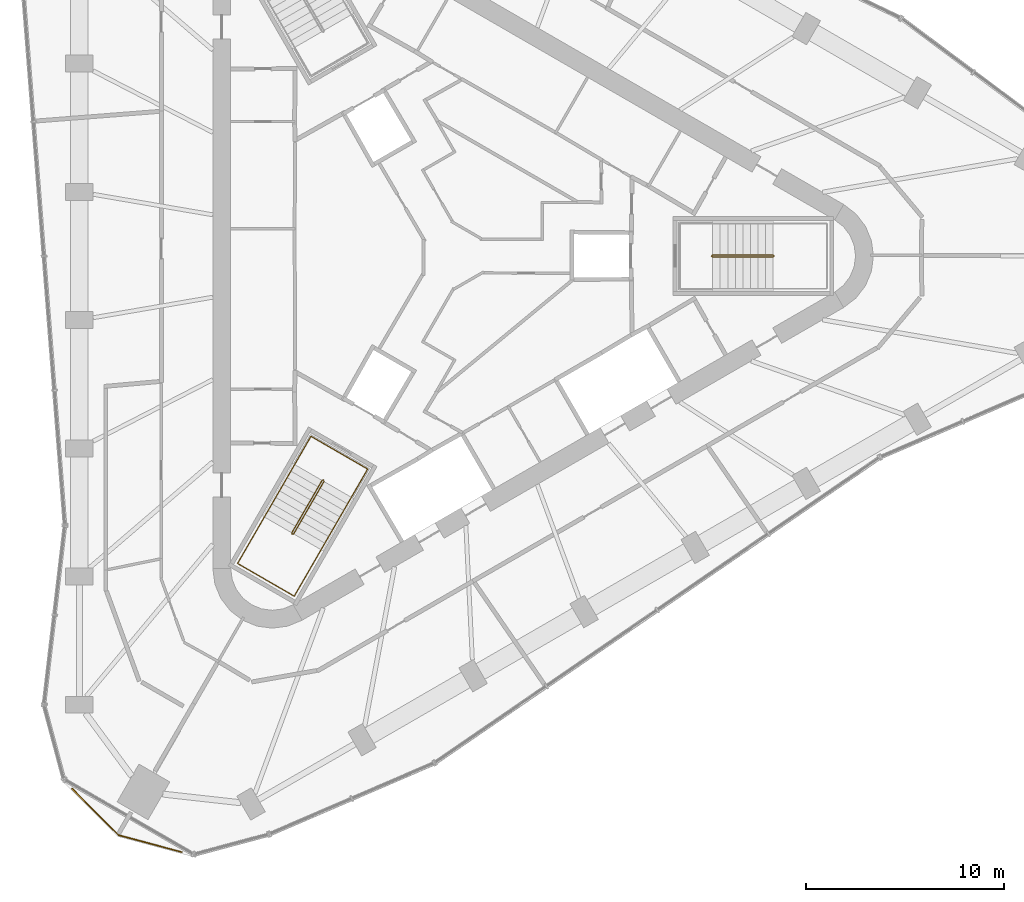
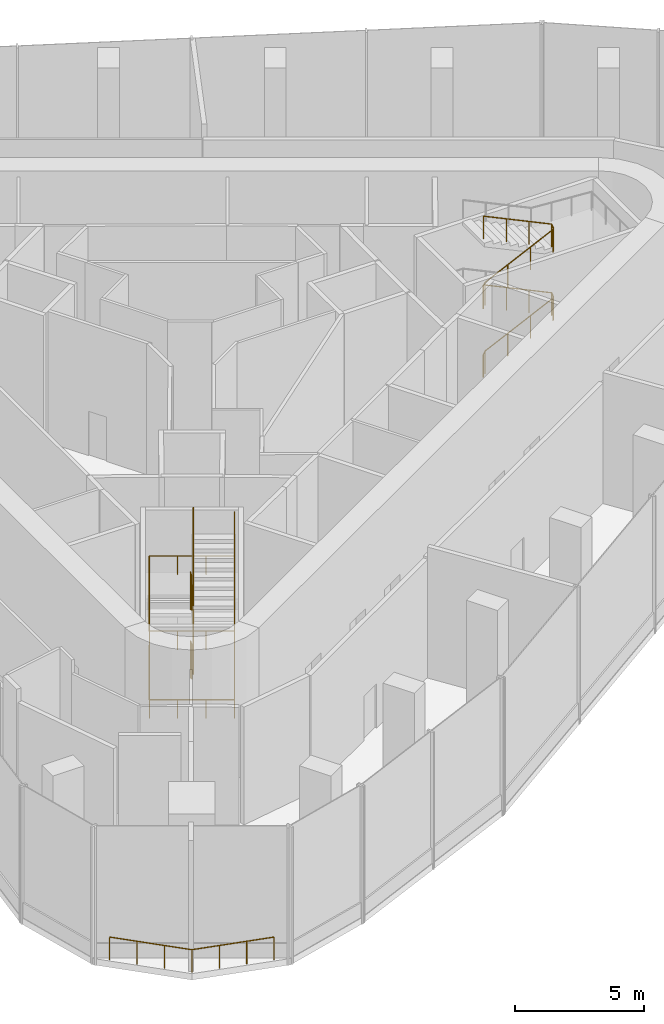
# One storey, part 12 of 13: 4 railings.
"""IFC4 building model written with IfcOpenShell, lengths in metres."""

from ifc_helpers import new_model, si_unit, direction, frame, origin, origin_2d, place, context, subcontext, project, spatial, circle, extrude, material, type_object, element, save


model = new_model("IFC4")

# Units and contexts
model_context = context("Model", 3, precision=1e-05, world=origin(), true_north=direction((0.0, 1.0)))
body_context = subcontext(model_context, "Body", "Model", "MODEL_VIEW")
ifc_project = project(units=[si_unit("LENGTHUNIT", "METRE"), si_unit("AREAUNIT", "SQUARE_METRE"), si_unit("VOLUMEUNIT", "CUBIC_METRE"), si_unit("PLANEANGLEUNIT", "RADIAN"), si_unit("MASSUNIT", "GRAM", prefix="KILO")], contexts=[model_context])

# Site, building, storey
site_placement = place(None, origin())
site = spatial("IfcSite", under=ifc_project, at=site_placement, CompositionType="ELEMENT")
building_placement = place(site_placement, origin())
building = spatial("IfcBuilding", under=site, at=building_placement, Name="Tanit Gate Tower", CompositionType="ELEMENT")
storey_placement = place(building_placement, frame((0.0, 0.0, 398.300048828125)))
storey = spatial("IfcBuildingStorey", under=building, at=storey_placement, Name="L91", CompositionType="ELEMENT", Elevation=398.300048828125)

# Railings
ifc_material_1 = material(Name="Stainless steel", Category="steel")
railing_type_1 = type_object("IfcRailingType", Name="Guard 1100 stainless steel balustrade", PredefinedType="GUARDRAIL", material=ifc_material_1)
railing_1_placement = place(storey_placement, frame((-13.66552734375, -30.05126953125, 0.0)))
element("IfcRailing", 1, at=railing_1_placement, inside=storey, type_object=railing_type_1, Name="Corner ledge guard L91 1", PredefinedType="GUARDRAIL", context=body_context, shape_type="SweptSolid", body=[
    extrude(circle(Radius=0.02392578125, at=origin_2d()), frame((0.0, 0.0, 1.076171875), z_axis=(-0.965927598952, 0.258812429344, 0.0), x_axis=(-0.258812429344, -0.965927598952, 0.0)), (0.0, 0.0, 1.0), 3.303466796875),
    extrude(circle(Radius=0.02392578125, at=origin_2d()), frame((-3.19091796875, 0.85498046875, 1.076171875), z_axis=(-0.707106781187, 0.707106781187, 0.0), x_axis=(-0.707106781187, -0.707106781187, 0.0)), (0.0, 0.0, 1.0), 3.303466796875),
    extrude(circle(Radius=0.02099609375, at=origin_2d()), origin(), (0.0, 0.0, 1.0), 1.052001953125),
    extrude(circle(Radius=0.02099609375, at=origin_2d()), frame((-1.063720703125, 0.284912109375, 0.0)), (0.0, 0.0, 1.0), 1.052001953125),
    extrude(circle(Radius=0.02099609375, at=origin_2d()), frame((-2.127197265625, 0.570068359375, 0.0)), (0.0, 0.0, 1.0), 1.052001953125),
    extrude(circle(Radius=0.02099609375, at=origin_2d()), frame((-3.19091796875, 0.85498046875, 0.0)), (0.0, 0.0, 1.0), 1.052001953125),
    extrude(circle(Radius=0.02099609375, at=origin_2d()), frame((-3.969482421875, 1.633544921875, 0.0)), (0.0, 0.0, 1.0), 1.052001953125),
    extrude(circle(Radius=0.02099609375, at=origin_2d()), frame((-4.748291015625, 2.412353515625, 0.0)), (0.0, 0.0, 1.0), 1.052001953125),
    extrude(circle(Radius=0.02099609375, at=origin_2d()), frame((-5.52685546875, 3.19091796875, 0.0)), (0.0, 0.0, 1.0), 1.052001953125),
])
ifc_material_2 = material(Name="Stainless steel balustrade", Category="steel")
railing_type_2 = type_object("IfcRailingType", Name="INT-STAIR-GUARD", PredefinedType="GUARDRAIL", material=ifc_material_2)
railing_2_placement = place(storey_placement, frame((13.044921875, 0.0048828125, 0.0)))
element("IfcRailing", 2, at=railing_2_placement, inside=storey, type_object=railing_type_2, Name="L91 S1 stair guard 1", PredefinedType="GUARDRAIL", context=body_context, shape_type="SweptSolid", body=[
    extrude(circle(Radius=0.02392578125, at=origin_2d()), frame((0.0, 0.0, 1.076171875), z_axis=(0.0, -1.0, 0.0), x_axis=(1.0, 0.0, 0.0)), (0.0, 0.0, 1.0), 0.009765625),
    extrude(circle(Radius=0.02392578125, at=origin_2d()), frame((0.0, -0.009765625, 1.076171875), z_axis=(0.258240678652, -0.258240678652, 0.930926153773), x_axis=(0.707106781187, 0.707106781187, 0.0)), (0.0, 0.0, 1.0), 0.19384765625),
    extrude(circle(Radius=0.02392578125, at=origin_2d()), frame((0.050048828125, -0.059814453125, 1.25634765625), z_axis=(0.9038114568, 0.0, 0.427930894605), x_axis=(0.0, 1.0, 0.0)), (0.0, 0.0, 1.0), 3.375732421875),
    extrude(circle(Radius=0.02392578125, at=origin_2d()), frame((3.10107421875, -0.059814453125, 2.701171875), z_axis=(0.707106781187, 0.707106781187, 0.0), x_axis=(-0.707106781187, 0.707106781187, 0.0)), (0.0, 0.0, 1.0), 0.07080078125),
    extrude(circle(Radius=0.02392578125, at=origin_2d()), frame((3.151123046875, -0.009765625, 2.701171875), z_axis=(0.0, 1.0, 0.0), x_axis=(-1.0, 0.0, 0.0)), (0.0, 0.0, 1.0), 0.009765625),
    extrude(circle(Radius=0.02392578125, at=origin_2d()), frame((3.151123046875, 0.0, 2.701171875), z_axis=(-0.258240678652, 0.258240678652, 0.930926153773), x_axis=(-0.707106781187, -0.707106781187, 0.0)), (0.0, 0.0, 1.0), 0.19384765625),
    extrude(circle(Radius=0.02392578125, at=origin_2d()), frame((3.10107421875, 0.050048828125, 2.88134765625), z_axis=(-0.9038114568, 0.0, 0.427930894605), x_axis=(0.0, -1.0, 0.0)), (0.0, 0.0, 1.0), 3.375732421875),
    extrude(circle(Radius=0.02392578125, at=origin_2d()), frame((0.050048828125, 0.050048828125, 4.326171875), z_axis=(-0.707106781187, -0.707106781187, 0.0), x_axis=(0.707106781187, -0.707106781187, 0.0)), (0.0, 0.0, 1.0), 0.07080078125),
    extrude(circle(Radius=0.02392578125, at=origin_2d()), frame((0.0, 0.0, 4.326171875), z_axis=(0.0, -1.0, 0.0), x_axis=(1.0, 0.0, 0.0)), (0.0, 0.0, 1.0), 0.009765625),
    extrude(circle(Radius=0.02392578125, at=origin_2d()), frame((0.0, -0.009765625, 4.326171875), z_axis=(0.258240678652, -0.258240678652, 0.930926153773), x_axis=(0.707106781187, 0.707106781187, 0.0)), (0.0, 0.0, 1.0), 0.19384765625),
    extrude(circle(Radius=0.02392578125, at=origin_2d()), frame((0.050048828125, -0.059814453125, 4.50634765625), z_axis=(0.9038114568, 0.0, 0.427930894605), x_axis=(0.0, 1.0, 0.0)), (0.0, 0.0, 1.0), 3.375732421875),
    extrude(circle(Radius=0.02392578125, at=origin_2d()), frame((3.10107421875, -0.059814453125, 5.951171875), z_axis=(0.707106781187, 0.707106781187, 0.0), x_axis=(-0.707106781187, 0.707106781187, 0.0)), (0.0, 0.0, 1.0), 0.07080078125),
    extrude(circle(Radius=0.02392578125, at=origin_2d()), frame((3.151123046875, -0.009765625, 5.951171875), z_axis=(0.0, 1.0, 0.0), x_axis=(-1.0, 0.0, 0.0)), (0.0, 0.0, 1.0), 0.009765625),
    extrude(circle(Radius=0.02392578125, at=origin_2d()), frame((3.151123046875, 0.0, 5.951171875), z_axis=(-0.258240678652, 0.258240678652, 0.930926153773), x_axis=(-0.707106781187, -0.707106781187, 0.0)), (0.0, 0.0, 1.0), 0.19384765625),
    extrude(circle(Radius=0.02392578125, at=origin_2d()), frame((3.10107421875, 0.050048828125, 6.13134765625), z_axis=(-0.9038114568, 0.0, 0.427930894605), x_axis=(0.0, -1.0, 0.0)), (0.0, 0.0, 1.0), 3.375732421875),
    extrude(circle(Radius=0.02099609375, at=origin_2d()), origin(), (0.0, 0.0, 1.0), 1.052001953125),
    extrude(circle(Radius=0.02099609375, at=origin_2d()), frame((0.0, -0.009765625, 0.0)), (0.0, 0.0, 1.0), 1.052001953125),
    extrude(circle(Radius=0.02099609375, at=origin_2d()), frame((0.050048828125, -0.059814453125, 0.180419921875)), (0.0, 0.0, 1.0), 1.052001953125),
    extrude(circle(Radius=0.02099609375, at=origin_2d()), frame((1.067138671875, -0.059814453125, 0.661865234375)), (0.0, 0.0, 1.0), 1.052001953125),
    extrude(circle(Radius=0.02099609375, at=origin_2d()), frame((2.083984375, -0.059814453125, 1.1435546875)), (0.0, 0.0, 1.0), 1.052001953125),
    extrude(circle(Radius=0.02099609375, at=origin_2d()), frame((3.10107421875, -0.059814453125, 1.625)), (0.0, 0.0, 1.0), 1.052001953125),
    extrude(circle(Radius=0.02099609375, at=origin_2d()), frame((3.151123046875, -0.009765625, 1.625)), (0.0, 0.0, 1.0), 1.052001953125),
    extrude(circle(Radius=0.02099609375, at=origin_2d()), frame((3.151123046875, 0.0, 1.625)), (0.0, 0.0, 1.0), 1.052001953125),
    extrude(circle(Radius=0.02099609375, at=origin_2d()), frame((3.10107421875, 0.050048828125, 1.805419921875)), (0.0, 0.0, 1.0), 1.052001953125),
    extrude(circle(Radius=0.02099609375, at=origin_2d()), frame((2.083984375, 0.050048828125, 2.286865234375)), (0.0, 0.0, 1.0), 1.052001953125),
    extrude(circle(Radius=0.02099609375, at=origin_2d()), frame((1.067138671875, 0.050048828125, 2.7685546875)), (0.0, 0.0, 1.0), 1.052001953125),
    extrude(circle(Radius=0.02099609375, at=origin_2d()), frame((0.050048828125, 0.050048828125, 3.25)), (0.0, 0.0, 1.0), 1.052001953125),
    extrude(circle(Radius=0.02099609375, at=origin_2d()), frame((0.0, 0.0, 3.25)), (0.0, 0.0, 1.0), 1.052001953125),
    extrude(circle(Radius=0.02099609375, at=origin_2d()), frame((0.0, -0.009765625, 3.25)), (0.0, 0.0, 1.0), 1.052001953125),
    extrude(circle(Radius=0.02099609375, at=origin_2d()), frame((0.050048828125, -0.059814453125, 3.430419921875)), (0.0, 0.0, 1.0), 1.052001953125),
    extrude(circle(Radius=0.02099609375, at=origin_2d()), frame((1.067138671875, -0.059814453125, 3.911865234375)), (0.0, 0.0, 1.0), 1.052001953125),
    extrude(circle(Radius=0.02099609375, at=origin_2d()), frame((2.083984375, -0.059814453125, 4.3935546875)), (0.0, 0.0, 1.0), 1.052001953125),
    extrude(circle(Radius=0.02099609375, at=origin_2d()), frame((3.10107421875, -0.059814453125, 4.875)), (0.0, 0.0, 1.0), 1.052001953125),
    extrude(circle(Radius=0.02099609375, at=origin_2d()), frame((3.151123046875, -0.009765625, 4.875)), (0.0, 0.0, 1.0), 1.052001953125),
    extrude(circle(Radius=0.02099609375, at=origin_2d()), frame((3.151123046875, 0.0, 4.875)), (0.0, 0.0, 1.0), 1.052001953125),
    extrude(circle(Radius=0.02099609375, at=origin_2d()), frame((3.10107421875, 0.050048828125, 5.055419921875)), (0.0, 0.0, 1.0), 1.052001953125),
    extrude(circle(Radius=0.02099609375, at=origin_2d()), frame((2.083984375, 0.050048828125, 5.536865234375)), (0.0, 0.0, 1.0), 1.052001953125),
    extrude(circle(Radius=0.02099609375, at=origin_2d()), frame((1.067138671875, 0.050048828125, 6.0185546875)), (0.0, 0.0, 1.0), 1.052001953125),
    extrude(circle(Radius=0.02099609375, at=origin_2d()), frame((0.050048828125, 0.050048828125, 6.5)), (0.0, 0.0, 1.0), 1.052001953125),
])
railing_3_placement = place(storey_placement, frame((-6.51806640625, -11.2998046875, 0.0)))
element("IfcRailing", 3, at=railing_3_placement, inside=storey, type_object=railing_type_2, Name="L91 S3 stair guard 1", PredefinedType="GUARDRAIL", context=body_context, shape_type="SweptSolid", body=[
    extrude(circle(Radius=0.02392578125, at=origin_2d()), frame((0.0, 0.0, 1.076171875), z_axis=(-0.874157276122, 0.485642931179, 0.0), x_axis=(-0.485642931179, -0.874157276122, 0.0)), (0.0, 0.0, 1.0), 0.010009765625),
    extrude(circle(Radius=0.02392578125, at=origin_2d()), frame((-0.0087890625, 0.0048828125, 1.076171875), z_axis=(-0.352767681399, -0.093231458656, 0.931054701979), x_axis=(0.255512919477, -0.966805641264, 0.0)), (0.0, 0.0, 1.0), 0.19384765625),
    extrude(circle(Radius=0.02392578125, at=origin_2d()), frame((-0.0771484375, -0.01318359375, 1.25634765625), z_axis=(-0.451869775252, -0.782744330594, 0.427931091576), x_axis=(0.866048339477, -0.499960272111, 0.0)), (0.0, 0.0, 1.0), 3.375732421875),
    extrude(circle(Radius=0.02392578125, at=origin_2d()), frame((-1.6025390625, -2.655517578125, 2.701171875), z_axis=(0.258736085224, -0.965948051503, 0.0), x_axis=(0.965948051503, 0.258736085224, 0.0)), (0.0, 0.0, 1.0), 0.07080078125),
    extrude(circle(Radius=0.02392578125, at=origin_2d()), frame((-1.584228515625, -2.723876953125, 2.701171875), z_axis=(0.868243142124, -0.496138938357, 0.0), x_axis=(0.496138938357, 0.868243142124, 0.0)), (0.0, 0.0, 1.0), 0.009765625),
    extrude(circle(Radius=0.02392578125, at=origin_2d()), frame((-1.57568359375, -2.728759765625, 2.701171875), z_axis=(0.352725972421, 0.094480171184, 0.930944620068), x_axis=(-0.258736085224, 0.965948051503, 0.0)), (0.0, 0.0, 1.0), 0.19384765625),
    extrude(circle(Radius=0.02392578125, at=origin_2d()), frame((-1.50732421875, -2.71044921875, 2.88134765625), z_axis=(0.451952910382, 0.782690733902, 0.427941329929), x_axis=(-0.865993683553, 0.500054937028, 0.0)), (0.0, 0.0, 1.0), 3.375732421875),
    extrude(circle(Radius=0.02392578125, at=origin_2d()), frame((0.018310546875, -0.068359375, 4.326171875), z_axis=(-0.258736085224, 0.965948051503, 0.0), x_axis=(-0.965948051503, -0.258736085224, 0.0)), (0.0, 0.0, 1.0), 0.07080078125),
    extrude(circle(Radius=0.02392578125, at=origin_2d()), frame((0.0, 0.0, 4.326171875), z_axis=(-0.874157276122, 0.485642931179, 0.0), x_axis=(-0.485642931179, -0.874157276122, 0.0)), (0.0, 0.0, 1.0), 0.010009765625),
    extrude(circle(Radius=0.02392578125, at=origin_2d()), frame((-0.0087890625, 0.0048828125, 4.326171875), z_axis=(-0.352767681399, -0.093231458656, 0.931054701979), x_axis=(0.255512919477, -0.966805641264, 0.0)), (0.0, 0.0, 1.0), 0.19384765625),
    extrude(circle(Radius=0.02392578125, at=origin_2d()), frame((-0.0771484375, -0.01318359375, 4.50634765625), z_axis=(-0.451869775252, -0.782744330594, 0.427931091576), x_axis=(0.866048339477, -0.499960272111, 0.0)), (0.0, 0.0, 1.0), 3.375732421875),
    extrude(circle(Radius=0.02392578125, at=origin_2d()), frame((-1.6025390625, -2.655517578125, 5.951171875), z_axis=(0.258736085224, -0.965948051503, 0.0), x_axis=(0.965948051503, 0.258736085224, 0.0)), (0.0, 0.0, 1.0), 0.07080078125),
    extrude(circle(Radius=0.02392578125, at=origin_2d()), frame((-1.584228515625, -2.723876953125, 5.951171875), z_axis=(0.868243142124, -0.496138938357, 0.0), x_axis=(0.496138938357, 0.868243142124, 0.0)), (0.0, 0.0, 1.0), 0.009765625),
    extrude(circle(Radius=0.02392578125, at=origin_2d()), frame((-1.57568359375, -2.728759765625, 5.951171875), z_axis=(0.352725972421, 0.094480171184, 0.930944620068), x_axis=(-0.258736085224, 0.965948051503, 0.0)), (0.0, 0.0, 1.0), 0.19384765625),
    extrude(circle(Radius=0.02392578125, at=origin_2d()), frame((-1.50732421875, -2.71044921875, 6.13134765625), z_axis=(0.451952910382, 0.782690733902, 0.427941329929), x_axis=(-0.865993683553, 0.500054937028, 0.0)), (0.0, 0.0, 1.0), 3.375732421875),
    extrude(circle(Radius=0.02099609375, at=origin_2d()), origin(), (0.0, 0.0, 1.0), 1.052001953125),
    extrude(circle(Radius=0.02099609375, at=origin_2d()), frame((-0.0087890625, 0.0048828125, 0.0)), (0.0, 0.0, 1.0), 1.052001953125),
    extrude(circle(Radius=0.02099609375, at=origin_2d()), frame((-0.0771484375, -0.01318359375, 0.180419921875)), (0.0, 0.0, 1.0), 1.052001953125),
    extrude(circle(Radius=0.02099609375, at=origin_2d()), frame((-0.585693359375, -0.89404296875, 0.661865234375)), (0.0, 0.0, 1.0), 1.052001953125),
    extrude(circle(Radius=0.02099609375, at=origin_2d()), frame((-1.093994140625, -1.774658203125, 1.1435546875)), (0.0, 0.0, 1.0), 1.052001953125),
    extrude(circle(Radius=0.02099609375, at=origin_2d()), frame((-1.6025390625, -2.655517578125, 1.625)), (0.0, 0.0, 1.0), 1.052001953125),
    extrude(circle(Radius=0.02099609375, at=origin_2d()), frame((-1.584228515625, -2.723876953125, 1.625)), (0.0, 0.0, 1.0), 1.052001953125),
    extrude(circle(Radius=0.02099609375, at=origin_2d()), frame((-1.57568359375, -2.728759765625, 1.625)), (0.0, 0.0, 1.0), 1.052001953125),
    extrude(circle(Radius=0.02099609375, at=origin_2d()), frame((-1.50732421875, -2.71044921875, 1.805419921875)), (0.0, 0.0, 1.0), 1.052001953125),
    extrude(circle(Radius=0.02099609375, at=origin_2d()), frame((-0.998779296875, -1.829833984375, 2.286865234375)), (0.0, 0.0, 1.0), 1.052001953125),
    extrude(circle(Radius=0.02099609375, at=origin_2d()), frame((-0.490234375, -0.948974609375, 2.7685546875)), (0.0, 0.0, 1.0), 1.052001953125),
    extrude(circle(Radius=0.02099609375, at=origin_2d()), frame((0.018310546875, -0.068359375, 3.25)), (0.0, 0.0, 1.0), 1.052001953125),
    extrude(circle(Radius=0.02099609375, at=origin_2d()), frame((0.0, 0.0, 3.25)), (0.0, 0.0, 1.0), 1.052001953125),
    extrude(circle(Radius=0.02099609375, at=origin_2d()), frame((-0.0087890625, 0.0048828125, 3.25)), (0.0, 0.0, 1.0), 1.052001953125),
    extrude(circle(Radius=0.02099609375, at=origin_2d()), frame((-0.0771484375, -0.01318359375, 3.430419921875)), (0.0, 0.0, 1.0), 1.052001953125),
    extrude(circle(Radius=0.02099609375, at=origin_2d()), frame((-0.585693359375, -0.89404296875, 3.911865234375)), (0.0, 0.0, 1.0), 1.052001953125),
    extrude(circle(Radius=0.02099609375, at=origin_2d()), frame((-1.093994140625, -1.774658203125, 4.3935546875)), (0.0, 0.0, 1.0), 1.052001953125),
    extrude(circle(Radius=0.02099609375, at=origin_2d()), frame((-1.6025390625, -2.655517578125, 4.875)), (0.0, 0.0, 1.0), 1.052001953125),
    extrude(circle(Radius=0.02099609375, at=origin_2d()), frame((-1.584228515625, -2.723876953125, 4.875)), (0.0, 0.0, 1.0), 1.052001953125),
    extrude(circle(Radius=0.02099609375, at=origin_2d()), frame((-1.57568359375, -2.728759765625, 4.875)), (0.0, 0.0, 1.0), 1.052001953125),
    extrude(circle(Radius=0.02099609375, at=origin_2d()), frame((-1.50732421875, -2.71044921875, 5.055419921875)), (0.0, 0.0, 1.0), 1.052001953125),
    extrude(circle(Radius=0.02099609375, at=origin_2d()), frame((-0.998779296875, -1.829833984375, 5.536865234375)), (0.0, 0.0, 1.0), 1.052001953125),
    extrude(circle(Radius=0.02099609375, at=origin_2d()), frame((-0.490234375, -0.948974609375, 6.0185546875)), (0.0, 0.0, 1.0), 1.052001953125),
    extrude(circle(Radius=0.02099609375, at=origin_2d()), frame((0.018310546875, -0.068359375, 6.5)), (0.0, 0.0, 1.0), 1.052001953125),
])
ifc_material_3 = material(Name="Stainless steel handrail", Category="steel")
railing_type_3 = type_object("IfcRailingType", Name="INT-STAIR-HANDRAIL", PredefinedType="HANDRAIL", material=ifc_material_3)
railing_4_placement = place(storey_placement, frame((-7.9765625, -10.515625, 0.180419921875)))
element("IfcRailing", 4, at=railing_4_placement, inside=storey, type_object=railing_type_3, Name="L91 S3 stair handrail 1", PredefinedType="HANDRAIL", context=body_context, shape_type="SweptSolid", body=[
    extrude(circle(Radius=0.02392578125, at=origin_2d()), frame((0.0, 0.0, 0.8759765625), z_axis=(-0.451869775252, -0.782744330594, 0.427931091576), x_axis=(0.866048339477, -0.499960272111, 0.0)), (0.0, 0.0, 1.0), 3.375732421875),
    extrude(circle(Radius=0.02392578125, at=origin_2d()), frame((-1.525390625, -2.642333984375, 2.3203125), z_axis=(-0.50004290449, -0.866000631449, 0.0), x_axis=(0.866000631449, -0.50004290449, 0.0)), (0.0, 0.0, 1.0), 2.703857421875),
    extrude(circle(Radius=0.02392578125, at=origin_2d()), frame((-2.87744140625, -4.98388671875, 2.3203125), z_axis=(0.866008176907, -0.50002983664, 0.0), x_axis=(0.50002983664, 0.866008176907, 0.0)), (0.0, 0.0, 1.0), 3.300048828125),
    extrude(circle(Radius=0.02392578125, at=origin_2d()), frame((-0.01953125, -6.634033203125, 2.3203125), z_axis=(0.498894565959, 0.864101964009, 0.066573326877), x_axis=(-0.866023205937, 0.500003806764, 0.0)), (0.0, 0.0, 1.0), 2.710205078125),
    extrude(circle(Radius=0.02392578125, at=origin_2d()), frame((1.33251953125, -4.292236328125, 2.5009765625), z_axis=(0.451869775252, 0.782744330594, 0.427931091576), x_axis=(-0.866048339477, 0.499960272111, 0.0)), (0.0, 0.0, 1.0), 3.375732421875),
    extrude(circle(Radius=0.02392578125, at=origin_2d()), frame((2.85791015625, -1.64990234375, 3.9453125), z_axis=(0.50001794124, 0.866015045157, 0.0), x_axis=(-0.866015045157, 0.50001794124, 0.0)), (0.0, 0.0, 1.0), 1.64501953125),
    extrude(circle(Radius=0.02392578125, at=origin_2d()), frame((3.680419921875, -0.225341796875, 3.9453125), z_axis=(-0.866040211805, 0.499974350878, 0.0), x_axis=(-0.499974350878, -0.866040211805, 0.0)), (0.0, 0.0, 1.0), 3.300048828125),
    extrude(circle(Radius=0.02392578125, at=origin_2d()), frame((0.822509765625, 1.424560546875, 3.9453125), z_axis=(-0.497037251936, -0.860852586835, 0.109026574408), x_axis=(0.866015045157, -0.50001794124, 0.0)), (0.0, 0.0, 1.0), 1.65478515625),
    extrude(circle(Radius=0.02392578125, at=origin_2d()), frame((0.0, 0.0, 4.1259765625), z_axis=(-0.451869775252, -0.782744330594, 0.427931091576), x_axis=(0.866048339477, -0.499960272111, 0.0)), (0.0, 0.0, 1.0), 3.375732421875),
    extrude(circle(Radius=0.02392578125, at=origin_2d()), frame((-1.525390625, -2.642333984375, 5.5703125), z_axis=(-0.50004290449, -0.866000631449, 0.0), x_axis=(0.866000631449, -0.50004290449, 0.0)), (0.0, 0.0, 1.0), 2.703857421875),
    extrude(circle(Radius=0.02392578125, at=origin_2d()), frame((-2.87744140625, -4.98388671875, 5.5703125), z_axis=(0.866008176907, -0.50002983664, 0.0), x_axis=(0.50002983664, 0.866008176907, 0.0)), (0.0, 0.0, 1.0), 3.300048828125),
    extrude(circle(Radius=0.02392578125, at=origin_2d()), frame((-0.01953125, -6.634033203125, 5.5703125), z_axis=(0.498894565959, 0.864101964009, 0.066573326877), x_axis=(-0.866023205937, 0.500003806764, 0.0)), (0.0, 0.0, 1.0), 2.710205078125),
    extrude(circle(Radius=0.02392578125, at=origin_2d()), frame((1.33251953125, -4.292236328125, 5.7509765625), z_axis=(0.451869775252, 0.782744330594, 0.427931091576), x_axis=(-0.866048339477, 0.499960272111, 0.0)), (0.0, 0.0, 1.0), 3.375732421875),
    extrude(circle(Radius=0.02099609375, at=origin_2d()), origin(), (0.0, 0.0, 1.0), 0.851806640625),
    extrude(circle(Radius=0.02099609375, at=origin_2d()), frame((-0.508544921875, -0.880859375, 0.4814453125)), (0.0, 0.0, 1.0), 0.851806640625),
    extrude(circle(Radius=0.02099609375, at=origin_2d()), frame((-1.016845703125, -1.761474609375, 0.963134765625)), (0.0, 0.0, 1.0), 0.851806640625),
    extrude(circle(Radius=0.02099609375, at=origin_2d()), frame((-1.525390625, -2.642333984375, 1.444580078125)), (0.0, 0.0, 1.0), 0.851806640625),
    extrude(circle(Radius=0.02099609375, at=origin_2d()), frame((-1.97607421875, -3.4228515625, 1.444580078125)), (0.0, 0.0, 1.0), 0.851806640625),
    extrude(circle(Radius=0.02099609375, at=origin_2d()), frame((-2.4267578125, -4.203369140625, 1.444580078125)), (0.0, 0.0, 1.0), 0.851806640625),
    extrude(circle(Radius=0.02099609375, at=origin_2d()), frame((-2.87744140625, -4.98388671875, 1.444580078125)), (0.0, 0.0, 1.0), 0.851806640625),
    extrude(circle(Radius=0.02099609375, at=origin_2d()), frame((-1.9248046875, -5.533935546875, 1.444580078125)), (0.0, 0.0, 1.0), 0.851806640625),
    extrude(circle(Radius=0.02099609375, at=origin_2d()), frame((-0.97216796875, -6.083984375, 1.444580078125)), (0.0, 0.0, 1.0), 0.851806640625),
    extrude(circle(Radius=0.02099609375, at=origin_2d()), frame((-0.01953125, -6.634033203125, 1.444580078125)), (0.0, 0.0, 1.0), 0.851806640625),
    extrude(circle(Radius=0.02099609375, at=origin_2d()), frame((0.43115234375, -5.853515625, 1.504638671875)), (0.0, 0.0, 1.0), 0.851806640625),
    extrude(circle(Radius=0.02099609375, at=origin_2d()), frame((0.8818359375, -5.07275390625, 1.56494140625)), (0.0, 0.0, 1.0), 0.851806640625),
    extrude(circle(Radius=0.02099609375, at=origin_2d()), frame((1.33251953125, -4.292236328125, 1.625)), (0.0, 0.0, 1.0), 0.851806640625),
    extrude(circle(Radius=0.02099609375, at=origin_2d()), frame((1.841064453125, -3.411376953125, 2.1064453125)), (0.0, 0.0, 1.0), 0.851806640625),
    extrude(circle(Radius=0.02099609375, at=origin_2d()), frame((2.349365234375, -2.53076171875, 2.588134765625)), (0.0, 0.0, 1.0), 0.851806640625),
    extrude(circle(Radius=0.02099609375, at=origin_2d()), frame((2.85791015625, -1.64990234375, 3.069580078125)), (0.0, 0.0, 1.0), 0.851806640625),
    extrude(circle(Radius=0.02099609375, at=origin_2d()), frame((3.26904296875, -0.9375, 3.069580078125)), (0.0, 0.0, 1.0), 0.851806640625),
    extrude(circle(Radius=0.02099609375, at=origin_2d()), frame((3.680419921875, -0.225341796875, 3.069580078125)), (0.0, 0.0, 1.0), 0.851806640625),
    extrude(circle(Radius=0.02099609375, at=origin_2d()), frame((2.727783203125, 0.32470703125, 3.069580078125)), (0.0, 0.0, 1.0), 0.851806640625),
    extrude(circle(Radius=0.02099609375, at=origin_2d()), frame((1.775146484375, 0.87451171875, 3.069580078125)), (0.0, 0.0, 1.0), 0.851806640625),
    extrude(circle(Radius=0.02099609375, at=origin_2d()), frame((0.822509765625, 1.424560546875, 3.069580078125)), (0.0, 0.0, 1.0), 0.851806640625),
    extrude(circle(Radius=0.02099609375, at=origin_2d()), frame((0.4111328125, 0.71240234375, 3.15966796875)), (0.0, 0.0, 1.0), 0.851806640625),
    extrude(circle(Radius=0.02099609375, at=origin_2d()), frame((0.0, 0.0, 3.25)), (0.0, 0.0, 1.0), 0.851806640625),
    extrude(circle(Radius=0.02099609375, at=origin_2d()), frame((-0.508544921875, -0.880859375, 3.7314453125)), (0.0, 0.0, 1.0), 0.851806640625),
    extrude(circle(Radius=0.02099609375, at=origin_2d()), frame((-1.016845703125, -1.761474609375, 4.213134765625)), (0.0, 0.0, 1.0), 0.851806640625),
    extrude(circle(Radius=0.02099609375, at=origin_2d()), frame((-1.525390625, -2.642333984375, 4.694580078125)), (0.0, 0.0, 1.0), 0.851806640625),
    extrude(circle(Radius=0.02099609375, at=origin_2d()), frame((-1.97607421875, -3.4228515625, 4.694580078125)), (0.0, 0.0, 1.0), 0.851806640625),
    extrude(circle(Radius=0.02099609375, at=origin_2d()), frame((-2.4267578125, -4.203369140625, 4.694580078125)), (0.0, 0.0, 1.0), 0.851806640625),
    extrude(circle(Radius=0.02099609375, at=origin_2d()), frame((-2.87744140625, -4.98388671875, 4.694580078125)), (0.0, 0.0, 1.0), 0.851806640625),
    extrude(circle(Radius=0.02099609375, at=origin_2d()), frame((-1.9248046875, -5.533935546875, 4.694580078125)), (0.0, 0.0, 1.0), 0.851806640625),
    extrude(circle(Radius=0.02099609375, at=origin_2d()), frame((-0.97216796875, -6.083984375, 4.694580078125)), (0.0, 0.0, 1.0), 0.851806640625),
    extrude(circle(Radius=0.02099609375, at=origin_2d()), frame((-0.01953125, -6.634033203125, 4.694580078125)), (0.0, 0.0, 1.0), 0.851806640625),
    extrude(circle(Radius=0.02099609375, at=origin_2d()), frame((0.43115234375, -5.853515625, 4.754638671875)), (0.0, 0.0, 1.0), 0.851806640625),
    extrude(circle(Radius=0.02099609375, at=origin_2d()), frame((0.8818359375, -5.07275390625, 4.81494140625)), (0.0, 0.0, 1.0), 0.851806640625),
    extrude(circle(Radius=0.02099609375, at=origin_2d()), frame((1.33251953125, -4.292236328125, 4.875)), (0.0, 0.0, 1.0), 0.851806640625),
    extrude(circle(Radius=0.02099609375, at=origin_2d()), frame((1.841064453125, -3.411376953125, 5.3564453125)), (0.0, 0.0, 1.0), 0.851806640625),
    extrude(circle(Radius=0.02099609375, at=origin_2d()), frame((2.349365234375, -2.53076171875, 5.838134765625)), (0.0, 0.0, 1.0), 0.851806640625),
    extrude(circle(Radius=0.02099609375, at=origin_2d()), frame((2.85791015625, -1.64990234375, 6.319580078125)), (0.0, 0.0, 1.0), 0.851806640625),
])

save(model, "model.ifc")
